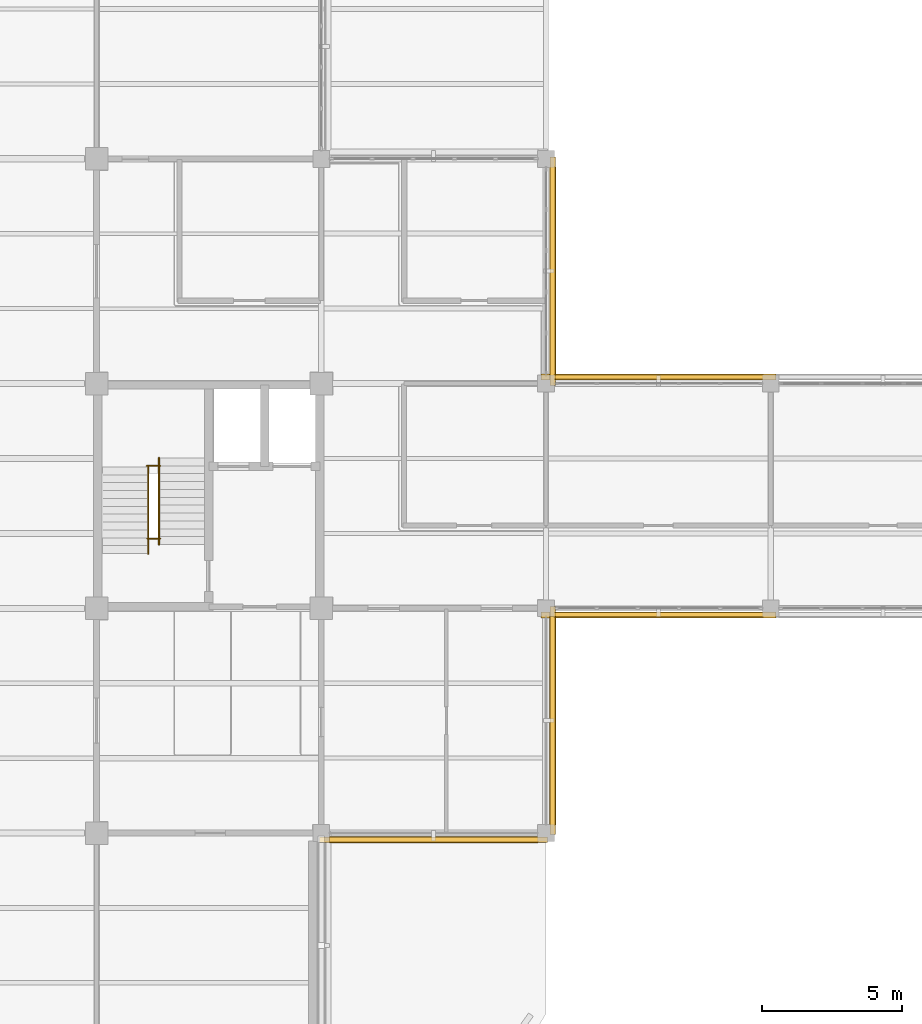
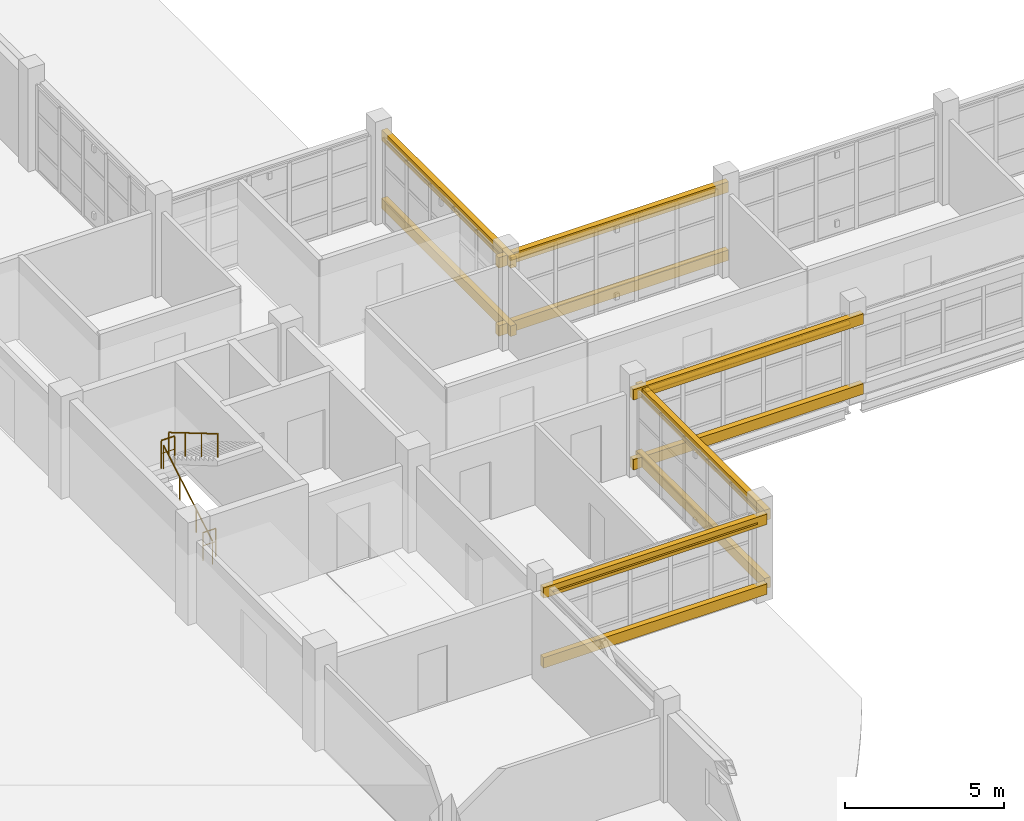
# One storey, part 116 of 126: 10 coverings, 5 shading devices, 4 railings.
"""IFC4 building model written with IfcOpenShell, lengths in metres."""

import ifcopenshell
import ifcopenshell.guid

model = None  # the IFC model being written
_history = None  # IfcOwnerHistory: only IFC2X3 demands one
_inside = {}  # id of a spatial element -> (the spatial element, [elements in it])
_under = {}  # id of a project, library or spatial element -> (it, [spatial elements below it])
_declared = {}  # id of a project -> (the project, [libraries it declares])
_typed = {}  # id of a type object -> (the type object, [elements of that type])
_made_of = {}  # id of a material, layer set ... -> (it, [elements and type objects made of it])


def new_model(schema):
    """Start an empty IFC model of exactly this schema.

    Asked for "IFC4X3", IfcOpenShell would pick the latest addendum, in which some entities
    have other attributes; the version numbers below select the first issue.
    IFC2X3 requires an IfcOwnerHistory on every rooted entity: one is made here for all.
    """
    global model, _history
    if schema == "IFC4X3":
        model = ifcopenshell.file(schema_version=(4, 3, 0, 0))
    else:
        model = ifcopenshell.file(schema=schema)
    _inside.clear()
    _under.clear()
    _declared.clear()
    _typed.clear()
    _made_of.clear()
    _history = None
    if model.schema == "IFC2X3":
        org = make("IfcOrganization", Name="unknown")
        user = make(
            "IfcPersonAndOrganization",
            ThePerson=make("IfcPerson", FamilyName="unknown"),
            TheOrganization=org,
        )
        app = make(
            "IfcApplication",
            ApplicationDeveloper=org,
            Version="unknown",
            ApplicationFullName="unknown",
            ApplicationIdentifier="unknown",
        )
        _history = make(
            "IfcOwnerHistory",
            OwningUser=user,
            OwningApplication=app,
            ChangeAction="ADDED",
            CreationDate=0,
        )
    return model


def make(cls, **values):
    """One entity of the class cls with the attributes given. An attribute that is None is left unset."""
    return model.create_entity(
        cls, **{name: value for name, value in values.items() if value is not None}
    )


def rooted(cls, **values):
    """An entity with a GlobalId (a new one), such as an element, a storey or a relation."""
    return make(cls, GlobalId=ifcopenshell.guid.new(), OwnerHistory=_history, **values)


def si_unit(unit_type, name, prefix=None):
    """IfcSIUnit, for example si_unit("LENGTHUNIT", "METRE", prefix="MILLI")."""
    return make("IfcSIUnit", UnitType=unit_type, Prefix=prefix, Name=name)


def derived_unit(unit_type, elements):
    """IfcDerivedUnit: a product of units, each with its exponent."""
    return make(
        "IfcDerivedUnit",
        Elements=[
            make("IfcDerivedUnitElement", Unit=unit, Exponent=power)
            for unit, power in elements
        ],
        UnitType=unit_type,
    )


def assignment(units):
    """IfcUnitAssignment: the units of a project."""
    return None if units is None else make("IfcUnitAssignment", Units=units)


def point(xyz):
    """IfcCartesianPoint."""
    return None if xyz is None else make("IfcCartesianPoint", Coordinates=xyz)


def direction(xyz):
    """IfcDirection."""
    return None if xyz is None else make("IfcDirection", DirectionRatios=xyz)


def frame(location, z_axis=None, x_axis=None):
    """IfcAxis2Placement3D, a coordinate frame: its origin and axes. An axis left out is left unset."""
    return make(
        "IfcAxis2Placement3D",
        Location=point(location),
        Axis=direction(z_axis),
        RefDirection=direction(x_axis),
    )


def frame_2d(location, x_axis=None):
    """IfcAxis2Placement2D, a coordinate frame in the plane: its origin and x axis."""
    return make(
        "IfcAxis2Placement2D", Location=point(location), RefDirection=direction(x_axis)
    )


def origin():
    """The frame at (0, 0, 0) with its axes left unset."""
    return frame((0.0, 0.0, 0.0))


def origin_2d():
    """The frame at (0, 0) in the plane with its x axis left unset."""
    return frame_2d((0.0, 0.0))


def place(relative_to, where):
    """IfcLocalPlacement: puts the frame where relative to a parent placement (None: the world)."""
    return make(
        "IfcLocalPlacement", PlacementRelTo=relative_to, RelativePlacement=where
    )


def context(
    kind, dimensions, precision=None, world=None, true_north=None, identifier=None
):
    """IfcGeometricRepresentationContext, for example the 3D "Model" context."""
    return make(
        "IfcGeometricRepresentationContext",
        ContextIdentifier=identifier,
        ContextType=kind,
        CoordinateSpaceDimension=dimensions,
        Precision=precision,
        WorldCoordinateSystem=world,
        TrueNorth=true_north,
    )


def subcontext(parent, identifier, kind, view, scale=None):
    """IfcGeometricRepresentationSubContext, for example "Body" below "Model"."""
    return make(
        "IfcGeometricRepresentationSubContext",
        ContextIdentifier=identifier,
        ContextType=kind,
        ParentContext=parent,
        TargetScale=scale,
        TargetView=view,
    )


def project(units=None, contexts=None):
    """IfcProject with its units and contexts."""
    return rooted(
        "IfcProject",
        Name="project",
        RepresentationContexts=contexts,
        UnitsInContext=assignment(units),
    )


def spatial(cls, under=None, at=None, **own):
    """A site, building, storey or space (cls), placed at a placement, below another one or the project."""
    s = rooted(cls, ObjectPlacement=at, **own)
    if under is not None:
        _under.setdefault(under.id(), (under, []))[1].append(s)
    return s


def profile(cls, at=None, kind="AREA", **sizes):
    """A parametric profile (cls). Its sizes go by their IFC names, for example OverallWidth=200.0."""
    return make(cls, ProfileType=kind, Position=at, **sizes)


def rectangle(**sizes):
    """IfcRectangleProfileDef."""
    return profile("IfcRectangleProfileDef", **sizes)


def circle(**sizes):
    """IfcCircleProfileDef."""
    return profile("IfcCircleProfileDef", **sizes)


def extrude(swept, where, along, depth):
    """IfcExtrudedAreaSolid: the profile swept, set in the frame where, extruded along a direction by depth."""
    return make(
        "IfcExtrudedAreaSolid",
        SweptArea=swept,
        Position=where,
        ExtrudedDirection=direction(along),
        Depth=depth,
    )


def shape(context_of_items, identifier, shape_type, items):
    """IfcShapeRepresentation: the items that make up one representation, for example the "Body"."""
    return make(
        "IfcShapeRepresentation",
        ContextOfItems=context_of_items,
        RepresentationIdentifier=identifier,
        RepresentationType=shape_type,
        Items=items,
    )


def material(Name=None, Category=None):
    """IfcMaterial."""
    return make("IfcMaterial", Name=Name, Category=Category)


def layer(
    of_material, thickness, ventilated=None, Name=None, Category=None, Priority=None
):
    """IfcMaterialLayer: one layer of a wall or slab, of a material (None: an air gap)."""
    return make(
        "IfcMaterialLayer",
        Material=of_material,
        LayerThickness=thickness,
        IsVentilated=ventilated,
        Name=Name,
        Category=Category,
        Priority=Priority,
    )


def layer_set(layers, Name=None):
    """IfcMaterialLayerSet."""
    return make("IfcMaterialLayerSet", MaterialLayers=layers, LayerSetName=Name)


def material_profile(
    of_material, cross_section, Name=None, Category=None, Priority=None
):
    """IfcMaterialProfile: a cross section and its material."""
    return make(
        "IfcMaterialProfile",
        Name=Name,
        Material=of_material,
        Profile=cross_section,
        Priority=Priority,
        Category=Category,
    )


def profile_set(profiles, Name=None, composite=None):
    """IfcMaterialProfileSet."""
    return make(
        "IfcMaterialProfileSet",
        Name=Name,
        MaterialProfiles=profiles,
        CompositeProfile=composite,
    )


def made_of(thing, what):
    """Note that an element or type object is made of a material, layer set ...; save() writes the relation."""
    if what is not None:
        _made_of.setdefault(what.id(), (what, []))[1].append(thing)
    return thing


def type_object(cls, material=None, **own):
    """A type object (cls), such as IfcWallType, which elements share."""
    return made_of(rooted(cls, **own), material)


def element(
    cls,
    number,
    at=None,
    inside=None,
    cuts=None,
    type_object=None,
    material=None,
    context=None,
    identifier="Body",
    shape_type=None,
    held_by="IfcProductDefinitionShape",
    body=None,
    shapes=None,
    **own,
):
    """One element of the class cls, such as IfcWall. Its Tag is "e" and its number.

    at: its placement. inside: the storey or other place that contains it. cuts: it is an
    opening in that element (IfcRelVoidsElement). A single representation is given by context,
    identifier, shape_type and body (its items); several are given by shapes. held_by: the class
    of the entity that holds the representations. save() writes the other relations.
    """
    e = rooted(cls, Tag="e%d" % number, ObjectPlacement=at, **own)
    if body is not None:
        shapes = [shape(context, identifier, shape_type, body)]
    if shapes is not None:
        e.Representation = make(held_by, Representations=shapes)
    if inside is not None:
        _inside.setdefault(inside.id(), (inside, []))[1].append(e)
    if cuts is not None:
        rooted(
            "IfcRelVoidsElement", RelatingBuildingElement=cuts, RelatedOpeningElement=e
        )
    if type_object is not None:
        _typed.setdefault(type_object.id(), (type_object, []))[1].append(e)
    return made_of(e, material)


def aggregate(whole, parts):
    """IfcRelAggregates: a whole, such as a stair, and the parts it consists of."""
    return rooted("IfcRelAggregates", RelatingObject=whole, RelatedObjects=parts)


def save(model, path):
    """Write the relations noted so far, then the file.

    IfcRelAggregates (storeys below a building ...), IfcRelContainedInSpatialStructure (elements
    in a storey), IfcRelDefinesByType, IfcRelAssociatesMaterial and IfcRelDeclares: one each for
    every whole, place, type object, material and project.
    """
    for whole, parts in _under.values():
        aggregate(whole, parts)
    for where, things in _inside.values():
        rooted(
            "IfcRelContainedInSpatialStructure",
            RelatedElements=things,
            RelatingStructure=where,
        )
    for kind, things in _typed.values():
        rooted("IfcRelDefinesByType", RelatedObjects=things, RelatingType=kind)
    for what, things in _made_of.values():
        rooted("IfcRelAssociatesMaterial", RelatedObjects=things, RelatingMaterial=what)
    for by, libraries in _declared.values():
        rooted("IfcRelDeclares", RelatingContext=by, RelatedDefinitions=libraries)
    model.write(path)


model = new_model("IFC4")

# Units and contexts
model_context = context("Model", 3, precision=1e-05, world=origin(), true_north=direction((0.0, 1.0)))
body_context = subcontext(model_context, "Body", "Model", "MODEL_VIEW")
ifc_project = project(units=[si_unit("LENGTHUNIT", "METRE"), si_unit("AREAUNIT", "SQUARE_METRE"), si_unit("VOLUMEUNIT", "CUBIC_METRE"), si_unit("PLANEANGLEUNIT", "RADIAN"), si_unit("MASSUNIT", "GRAM", prefix="KILO"), derived_unit("THERMALTRANSMITTANCEUNIT", [(si_unit("MASSUNIT", "GRAM", prefix="KILO"), 1), (si_unit("TIMEUNIT", "SECOND"), -3), (si_unit("THERMODYNAMICTEMPERATUREUNIT", "KELVIN"), -1)])], contexts=[model_context])

# Site, building, storey
site_placement = place(None, origin())
site = spatial("IfcSite", under=ifc_project, at=site_placement, CompositionType="ELEMENT")
building_placement = place(site_placement, origin())
building = spatial("IfcBuilding", under=site, at=building_placement, Name="Veyamyaing Civic Hall", CompositionType="ELEMENT")
storey_placement = place(building_placement, frame((0.0, 0.0, 9.89990234375)))
storey = spatial("IfcBuildingStorey", under=building, at=storey_placement, Name="L02", CompositionType="ELEMENT", Elevation=9.89990234375)

# Coverings
ifc_material_1 = material(Name="White powder-coated aluminium 6063-T6", Category="aluminium")
ifc_layer = layer(ifc_material_1, 0.2099609375, Name="White powder-coated aluminium 6063-T6")
ifc_layer_set = layer_set([ifc_layer], Name="White powder-coated aluminium 6063-T6")
covering_type = type_object("IfcCoveringType", Name="CL-03", PredefinedType="CLADDING", material=ifc_layer_set)
for number, where, z_axis, x_axis, name in (
    (1, (116.0, 39.760009765625, 2.964111328125), (0.0, 0.0, 1.0), (1.0, 0.0, 0.0), "Continuous white head fascia ribbon CL-03 L02 S 15.6"),
    (2, (116.0, 39.760009765625, 0.280029296875), (0.0, 0.0, 1.0), (1.0, 0.0, 0.0), "Continuous white sill fascia ribbon CL-03 L02 S 15.6"),
    (3, (120.239990234375, 44.0, 2.904052734375), (0.0, 0.0, 1.0), (0.0, 1.0, 0.0), "Continuous white head fascia ribbon CL-03 L02 E 15.6"),
    (4, (120.239990234375, 44.0, 0.280029296875), (0.0, 0.0, 1.0), (0.0, 1.0, 0.0), "Continuous white sill fascia ribbon CL-03 L02 E 15.6"),
    (5, (120.239990234375, 60.0, 2.900146484375), (0.0, 0.0, 1.0), (0.0, 1.0, 0.0), "Continuous white head fascia ribbon CL-03 L02 E 15.8"),
    (6, (120.239990234375, 60.0, 0.280029296875), (0.0, 0.0, 1.0), (0.0, 1.0, 0.0), "Continuous white sill fascia ribbon CL-03 L02 E 15.8"),
):
    element("IfcCovering", number, at=place(storey_placement, frame(where, z_axis=z_axis, x_axis=x_axis)), inside=storey, type_object=covering_type, Name=name, PredefinedType="CLADDING", context=body_context, shape_type="SweptSolid", body=[
        extrude(rectangle(XDim=8.1201171875, YDim=0.2099609375, at=origin_2d()), origin(), (0.0, 0.0, 1.0), 0.39990234375),
    ])
for number, where, z_axis, x_axis, name in (
    (7, (124.0, 47.760009765625, 2.967041015625), (0.0, 0.0, 1.0), (1.0, 0.0, 0.0), "Continuous white head fascia ribbon CL-03 L02 S 16.7"),
    (8, (124.0, 47.760009765625, 0.280029296875), (0.0, 0.0, 1.0), (1.0, 0.0, 0.0), "Continuous white sill fascia ribbon CL-03 L02 S 16.7"),
    (9, (124.0, 56.239990234375, 2.900146484375), (0.0, 0.0, 1.0), (1.0, 0.0, 0.0), "Continuous white head fascia ribbon CL-03 L02 N 16.7"),
    (10, (124.0, 56.239990234375, 0.280029296875), (0.0, 0.0, 1.0), (1.0, 0.0, 0.0), "Continuous white sill fascia ribbon CL-03 L02 N 16.7"),
):
    element("IfcCovering", number, at=place(storey_placement, frame(where, z_axis=z_axis, x_axis=x_axis)), inside=storey, type_object=covering_type, Name=name, PredefinedType="CLADDING", context=body_context, shape_type="SweptSolid", body=[
        extrude(rectangle(XDim=8.360107421875, YDim=0.2099609375, at=origin_2d()), origin(), (0.0, 0.0, 1.0), 0.39990234375),
    ])

# Railings
ifc_material_2 = material(Name="Steel S355J2", Category="steel")
railing_type_1 = type_object("IfcRailingType", Name="RL-01", PredefinedType="BALUSTRADE", material=ifc_material_2)
railing_1_placement = place(storey_placement, frame((105.780029296875, 53.070068359375, 1.97998046875)))
element("IfcRailing", 11, at=railing_1_placement, inside=storey, type_object=railing_type_1, Name="Half-landing slot guard RL-01 ST-06 L02", PredefinedType="BALUSTRADE", context=body_context, shape_type="SweptSolid", body=[
    extrude(circle(Radius=0.02392578125, at=origin_2d()), frame((0.0, 0.0, 1.076171875), z_axis=(1.0, 0.0, 0.0), x_axis=(0.0, 1.0, 0.0)), (0.0, 0.0, 1.0), 0.489990234375),
    extrude(circle(Radius=0.01416015625, at=origin_2d()), frame((0.0, 0.0, 0.572021484375), z_axis=(1.0, 0.0, 0.0), x_axis=(0.0, 1.0, 0.0)), (0.0, 0.0, 1.0), 0.489990234375),
    extrude(circle(Radius=0.02099609375, at=origin_2d()), origin(), (0.0, 0.0, 1.0), 1.052001953125),
    extrude(circle(Radius=0.02099609375, at=origin_2d()), frame((0.489990234375, 0.0, 0.0)), (0.0, 0.0, 1.0), 1.052001953125),
])
railing_2_placement = place(storey_placement, frame((105.800048828125, 50.47998046875, 0.0)))
element("IfcRailing", 12, at=railing_2_placement, inside=storey, type_object=railing_type_1, Name="Floor-landing slot guard RL-01 ST-06 L02", PredefinedType="BALUSTRADE", context=body_context, shape_type="SweptSolid", body=[
    extrude(circle(Radius=0.02392578125, at=origin_2d()), frame((0.0, 0.0, 1.076171875), z_axis=(1.0, 0.0, 0.0), x_axis=(0.0, 1.0, 0.0)), (0.0, 0.0, 1.0), 0.469970703125),
    extrude(circle(Radius=0.01416015625, at=origin_2d()), frame((0.0, 0.0, 0.572021484375), z_axis=(1.0, 0.0, 0.0), x_axis=(0.0, 1.0, 0.0)), (0.0, 0.0, 1.0), 0.469970703125),
    extrude(circle(Radius=0.02099609375, at=origin_2d()), origin(), (0.0, 0.0, 1.0), 1.052001953125),
    extrude(circle(Radius=0.02099609375, at=origin_2d()), frame((0.469970703125, 0.0, 0.0)), (0.0, 0.0, 1.0), 1.052001953125),
])
railing_type_2 = type_object("IfcRailingType", Name="RL-02", PredefinedType="HANDRAIL", material=ifc_material_2)
railing_3_placement = place(storey_placement, frame((105.840087890625, 49.949951171875, 0.1650390625)))
element("IfcRailing", 13, at=railing_3_placement, inside=storey, type_object=railing_type_2, Name="Stair pitch handrail RL-02 ST-06 L02.1", PredefinedType="HANDRAIL", context=body_context, shape_type="SweptSolid", body=[
    extrude(circle(Radius=0.02392578125, at=origin_2d()), frame((0.0, 0.0, 0.89599609375), z_axis=(0.0, 0.861551262678, 0.507670583921), x_axis=(-1.0, 0.0, 0.0)), (0.0, 0.0, 1.0), 3.574951171875),
    extrude(circle(Radius=0.02099609375, at=origin_2d()), origin(), (0.0, 0.0, 1.0), 0.871826171875),
    extrude(circle(Radius=0.02099609375, at=origin_2d()), frame((0.0, 1.026611328125, 0.60498046875)), (0.0, 0.0, 1.0), 0.871826171875),
    extrude(circle(Radius=0.02099609375, at=origin_2d()), frame((0.0, 2.053466796875, 1.2099609375)), (0.0, 0.0, 1.0), 0.871826171875),
    extrude(circle(Radius=0.02099609375, at=origin_2d()), frame((0.0, 3.080078125, 1.81494140625)), (0.0, 0.0, 1.0), 0.871826171875),
])
railing_4_placement = place(storey_placement, frame((106.219970703125, 53.35009765625, 2.14501953125)))
element("IfcRailing", 14, at=railing_4_placement, inside=storey, type_object=railing_type_2, Name="Stair pitch handrail RL-02 ST-06 L02.2", PredefinedType="HANDRAIL", context=body_context, shape_type="SweptSolid", body=[
    extrude(circle(Radius=0.02392578125, at=origin_2d()), frame((0.0, 0.0, 0.89599609375), z_axis=(0.0, -0.861521393093, 0.507721271215), x_axis=(1.0, 0.0, 0.0)), (0.0, 0.0, 1.0), 3.5751953125),
    extrude(circle(Radius=0.02099609375, at=origin_2d()), origin(), (0.0, 0.0, 1.0), 0.871826171875),
    extrude(circle(Radius=0.02099609375, at=origin_2d()), frame((0.0, -1.026611328125, 0.60498046875)), (0.0, 0.0, 1.0), 0.871826171875),
    extrude(circle(Radius=0.02099609375, at=origin_2d()), frame((0.0, -2.053466796875, 1.210205078125)), (0.0, 0.0, 1.0), 0.871826171875),
    extrude(circle(Radius=0.02099609375, at=origin_2d()), frame((0.0, -3.080078125, 1.815185546875)), (0.0, 0.0, 1.0), 0.871826171875),
])

# Shading devices
ifc_material_profile_1 = material_profile(ifc_material_1, circle(Radius=0.110107421875, at=origin_2d()), Name="SHADE-TUBE-220")
ifc_profile_set_1 = profile_set([ifc_material_profile_1], Name="White powder-coated aluminium 6063-T6")
shading_device_type_1 = type_object("IfcShadingDeviceType", Name="SH-01", PredefinedType="USERDEFINED", material=ifc_profile_set_1)
for number, where, z_axis, x_axis, name in (
    (15, (112.284912109375, 39.760009765625, 3.1240234375), (1.0, 0.0, 0.0), (0.0, 1.0, 0.0), "Horizontal white sunshade ribbon SH-01 L02 S 15.6"),
    (16, (120.239990234375, 40.284912109375, 3.064208984375), (0.0, 1.0, 0.0), (-1.0, 0.0, 0.0), "Horizontal white sunshade ribbon SH-01 L02 E 15.6"),
    (17, (120.239990234375, 56.284912109375, 3.06005859375), (0.0, 1.0, 0.0), (-1.0, 0.0, 0.0), "Horizontal white sunshade ribbon SH-01 L02 E 15.8"),
):
    element("IfcShadingDevice", number, at=place(storey_placement, frame(where, z_axis=z_axis, x_axis=x_axis)), inside=storey, type_object=shading_device_type_1, Name=name, ObjectType="SUNSHADE", PredefinedType="USERDEFINED", context=body_context, shape_type="SweptSolid", body=[
        extrude(circle(Radius=0.110107421875, at=origin_2d()), origin(), (0.0, 0.0, 1.0), 7.43017578125),
    ])
ifc_material_profile_2 = material_profile(ifc_material_1, circle(Radius=0.090087890625, at=origin_2d()), Name="SHADE-TUBE-180")
ifc_profile_set_2 = profile_set([ifc_material_profile_2], Name="White powder-coated aluminium 6063-T6")
shading_device_type_2 = type_object("IfcShadingDeviceType", Name="SH-02", PredefinedType="USERDEFINED", material=ifc_profile_set_2)
for number, where, z_axis, x_axis, name in (
    (18, (120.284912109375, 47.760009765625, 3.127197265625), (1.0, 0.0, 0.0), (0.0, 1.0, 0.0), "Horizontal white sunshade ribbon SH-02 L02 S 16.7"),
    (19, (120.284912109375, 56.239990234375, 3.06005859375), (1.0, 0.0, 0.0), (0.0, 1.0, 0.0), "Horizontal white sunshade ribbon SH-02 L02 N 16.7"),
):
    element("IfcShadingDevice", number, at=place(storey_placement, frame(where, z_axis=z_axis, x_axis=x_axis)), inside=storey, type_object=shading_device_type_2, Name=name, ObjectType="SUNSHADE", PredefinedType="USERDEFINED", context=body_context, shape_type="SweptSolid", body=[
        extrude(circle(Radius=0.090087890625, at=origin_2d()), origin(), (0.0, 0.0, 1.0), 7.43017578125),
    ])

save(model, "model.ifc")
